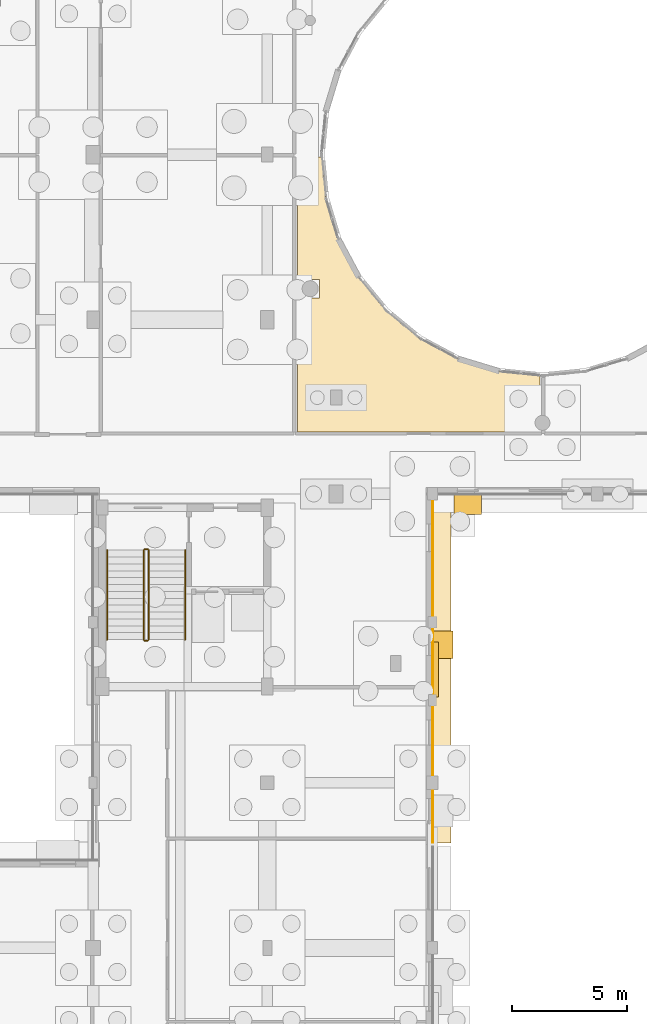
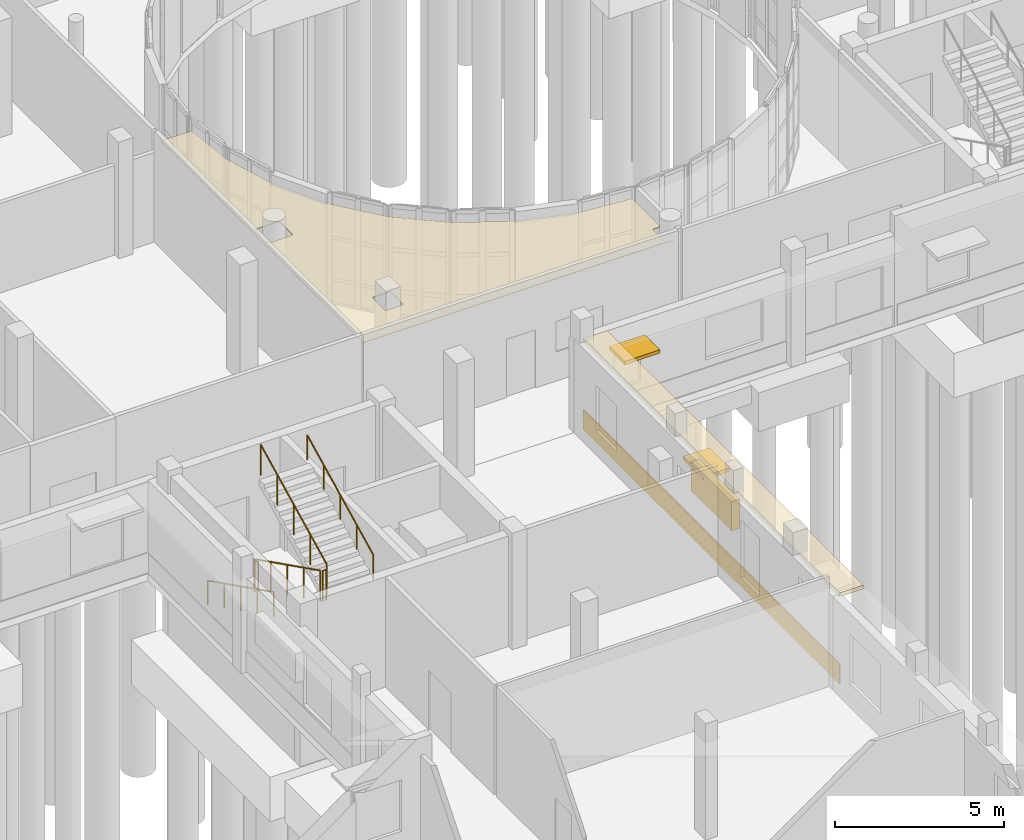
# One storey, part 83 of 93: 6 railings, 3 coverings, 3 shading devices.
"""IFC4 building model written with IfcOpenShell, lengths in metres."""

from ifc_helpers import new_model, si_unit, direction, frame, origin, origin_2d, place, context, subcontext, project, spatial, polyline, rectangle, circle, outline, extrude, material, layer, layer_set, type_object, element, save


model = new_model("IFC4")

# Units and contexts
model_context = context("Model", 3, precision=1e-05, world=origin(), true_north=direction((0.0, 1.0)))
body_context = subcontext(model_context, "Body", "Model", "MODEL_VIEW")
ifc_project = project(units=[si_unit("LENGTHUNIT", "METRE"), si_unit("AREAUNIT", "SQUARE_METRE"), si_unit("VOLUMEUNIT", "CUBIC_METRE"), si_unit("PLANEANGLEUNIT", "RADIAN"), si_unit("MASSUNIT", "GRAM", prefix="KILO")], contexts=[model_context])

# Site, building, storey
site_placement = place(None, origin())
site = spatial("IfcSite", under=ifc_project, at=site_placement, CompositionType="ELEMENT")
building_placement = place(site_placement, origin())
building = spatial("IfcBuilding", under=site, at=building_placement, Name="Kelanivale Promenade Academy", CompositionType="ELEMENT")
storey_placement = place(building_placement, origin())
storey = spatial("IfcBuildingStorey", under=building, at=storey_placement, Name="L00", CompositionType="ELEMENT", Elevation=0.0)

# Coverings
ifc_material_1 = material(Name="Warm ivory Art Deco stucco frieze band 40 mm", Category="masonry")
ifc_layer_1 = layer(ifc_material_1, 0.0400390625)
ifc_layer_set_1 = layer_set([ifc_layer_1], Name="Warm ivory Art Deco stucco frieze band 40 mm")
covering_type_1 = type_object("IfcCoveringType", Name="COV-CLD2 Warm ivory Art Deco stucco frieze ba", PredefinedType="CLADDING", material=ifc_layer_set_1)
covering_1_placement = place(storey_placement, frame((94.39990234375, 34.35009765625, 3.21484375), z_axis=(0.0, 0.0, 1.0), x_axis=(0.0, 1.0, 0.0)))
element("IfcCovering", 1, at=covering_1_placement, inside=storey, type_object=covering_type_1, Name="Art Deco projecting 820 mm streamline sunshade eyebrow ledge", PredefinedType="CLADDING", context=body_context, shape_type="SweptSolid", body=[
    extrude(rectangle(XDim=15.139892578125, YDim=0.820068359375, at=origin_2d()), origin(), (0.0, 0.0, 1.0), 0.139892578125),
])
covering_2_placement = place(storey_placement, frame((94.014892578125, 34.35009765625, 0.06005859375), z_axis=(0.0, 0.0, 1.0), x_axis=(0.0, 1.0, 0.0)))
element("IfcCovering", 2, at=covering_2_placement, inside=storey, type_object=covering_type_1, Name="Art Deco ivory stucco sill frieze band", PredefinedType="CLADDING", context=body_context, shape_type="SweptSolid", body=[
    extrude(rectangle(XDim=15.139892578125, YDim=0.0400390625, at=origin_2d()), origin(), (0.0, 0.0, 1.0), 0.719970703125),
])
ifc_material_2 = material(Name="Acoustic mineral-fibre ceiling tile 25 mm", Category="gypsum")
ifc_layer_2 = layer(ifc_material_2, 0.02490234375)
ifc_layer_set_2 = layer_set([ifc_layer_2], Name="Acoustic mineral-fibre ceiling tile 25 mm")
covering_type_2 = type_object("IfcCoveringType", Name="COV-CLG1 Acoustic mineral-fibre ceiling tile ", PredefinedType="CEILING", material=ifc_layer_set_2)
covering_3_placement = place(storey_placement, frame((0.0, 0.0, 3.550048828125)))
element("IfcCovering", 3, at=covering_3_placement, inside=storey, type_object=covering_type_2, Name="Junior Classroom Courtyard East-South acoustic suspended ceiling", PredefinedType="CEILING", context=body_context, shape_type="SweptSolid", body=[
    extrude(outline(polyline([(90.7880859375, 51.423095703125), (90.787109375, 51.425048828125), (90.780029296875, 51.43408203125), (90.77392578125, 51.44189453125), (90.76806640625, 51.451904296875), (90.76611328125, 51.455078125), (89.89306640625, 53.090087890625), (89.89208984375, 53.092041015625), (89.886962890625, 53.10205078125), (89.884033203125, 53.111083984375), (89.8798828125, 53.1220703125), (89.8779296875, 53.1259765625), (89.340087890625, 54.89892578125), (89.337890625, 54.907958984375), (89.3359375, 54.9189453125), (89.3359375, 54.919921875), (89.333984375, 54.931884765625), (89.3330078125, 54.93701171875), (89.160888671875, 56.68994140625), (88.110107421875, 56.68994140625), (88.110107421875, 44.7099609375), (98.68994140625, 44.7099609375), (98.68994140625, 44.715087890625), (98.455078125, 44.715087890625), (98.450927734375, 44.715087890625), (98.447021484375, 44.716064453125), (98.443115234375, 44.717041015625), (98.43994140625, 44.718017578125), (98.43603515625, 44.719970703125), (98.43310546875, 44.721923828125), (98.429931640625, 44.72412109375), (98.427001953125, 44.72705078125), (98.424072265625, 44.72998046875), (98.422119140625, 44.73291015625), (98.419921875, 44.736083984375), (98.41796875, 44.739990234375), (98.4169921875, 44.742919921875), (98.416015625, 44.7470703125), (98.4150390625, 44.7509765625), (98.4150390625, 44.7548828125), (98.4150390625, 45.445068359375), (98.4150390625, 45.448974609375), (98.416015625, 45.452880859375), (98.4169921875, 45.45703125), (98.41796875, 45.4599609375), (98.419921875, 45.464111328125), (98.422119140625, 45.467041015625), (98.424072265625, 45.469970703125), (98.427001953125, 45.472900390625), (98.429931640625, 45.47607421875), (98.43310546875, 45.47802734375), (98.43603515625, 45.47998046875), (98.43994140625, 45.48193359375), (98.443115234375, 45.48291015625), (98.447021484375, 45.48388671875), (98.450927734375, 45.485107421875), (98.455078125, 45.485107421875), (98.68994140625, 45.485107421875), (98.68994140625, 47.160888671875), (96.93701171875, 47.3330078125), (96.931884765625, 47.333984375), (96.919921875, 47.3359375), (96.9189453125, 47.3359375), (96.907958984375, 47.337890625), (96.89892578125, 47.340087890625), (95.1259765625, 47.8779296875), (95.1220703125, 47.8798828125), (95.111083984375, 47.884033203125), (95.10205078125, 47.886962890625), (95.092041015625, 47.89208984375), (95.090087890625, 47.89306640625), (93.455078125, 48.76611328125), (93.451904296875, 48.76806640625), (93.44189453125, 48.77392578125), (93.43408203125, 48.780029296875), (93.425048828125, 48.787109375), (93.423095703125, 48.7880859375), (91.989990234375, 49.962890625), (91.98388671875, 49.968017578125), (91.97607421875, 49.97607421875), (91.968017578125, 49.98388671875), (91.962890625, 49.989990234375), (90.7880859375, 51.423095703125)]), holes=[polyline([(90.110107421875, 45.85498046875), (90.110107421875, 45.85107421875), (90.10888671875, 45.846923828125), (90.10791015625, 45.843017578125), (90.10693359375, 45.840087890625), (90.10498046875, 45.8359375), (90.10302734375, 45.8330078125), (90.10107421875, 45.830078125), (90.097900390625, 45.826904296875), (90.094970703125, 45.823974609375), (90.092041015625, 45.822021484375), (90.089111328125, 45.820068359375), (90.0849609375, 45.818115234375), (90.08203125, 45.81689453125), (90.077880859375, 45.81591796875), (90.073974609375, 45.81494140625), (90.070068359375, 45.81494140625), (89.530029296875, 45.81494140625), (89.52587890625, 45.81494140625), (89.52197265625, 45.81591796875), (89.51806640625, 45.81689453125), (89.514892578125, 45.818115234375), (89.510986328125, 45.820068359375), (89.508056640625, 45.822021484375), (89.5048828125, 45.823974609375), (89.501953125, 45.826904296875), (89.4990234375, 45.830078125), (89.4970703125, 45.8330078125), (89.4951171875, 45.8359375), (89.492919921875, 45.840087890625), (89.491943359375, 45.843017578125), (89.490966796875, 45.846923828125), (89.489990234375, 45.85107421875), (89.489990234375, 45.85498046875), (89.489990234375, 46.544921875), (89.489990234375, 46.549072265625), (89.490966796875, 46.552978515625), (89.491943359375, 46.556884765625), (89.492919921875, 46.56005859375), (89.4951171875, 46.56396484375), (89.4970703125, 46.56689453125), (89.4990234375, 46.570068359375), (89.501953125, 46.572998046875), (89.5048828125, 46.575927734375), (89.508056640625, 46.577880859375), (89.510986328125, 46.580078125), (89.514892578125, 46.58203125), (89.51806640625, 46.5830078125), (89.52197265625, 46.583984375), (89.52587890625, 46.5849609375), (89.530029296875, 46.5849609375), (90.070068359375, 46.5849609375), (90.073974609375, 46.5849609375), (90.077880859375, 46.583984375), (90.08203125, 46.5830078125), (90.0849609375, 46.58203125), (90.089111328125, 46.580078125), (90.092041015625, 46.577880859375), (90.094970703125, 46.575927734375), (90.097900390625, 46.572998046875), (90.10107421875, 46.570068359375), (90.10302734375, 46.56689453125), (90.10498046875, 46.56396484375), (90.10693359375, 46.56005859375), (90.10791015625, 46.556884765625), (90.10888671875, 46.552978515625), (90.110107421875, 46.549072265625), (90.110107421875, 46.544921875), (90.110107421875, 45.85498046875)]), polyline([(89.077880859375, 50.580078125), (89.077880859375, 50.575927734375), (89.076904296875, 50.572021484375), (89.075927734375, 50.568115234375), (89.074951171875, 50.56494140625), (89.072998046875, 50.56103515625), (89.071044921875, 50.55810546875), (89.069091796875, 50.554931640625), (89.06591796875, 50.552001953125), (89.06298828125, 50.549072265625), (89.06005859375, 50.547119140625), (89.056884765625, 50.544921875), (89.052978515625, 50.54296875), (89.050048828125, 50.5419921875), (89.0458984375, 50.541015625), (89.0419921875, 50.5400390625), (89.0380859375, 50.5400390625), (88.298095703125, 50.5400390625), (88.2939453125, 50.5400390625), (88.2900390625, 50.541015625), (88.285888671875, 50.5419921875), (88.282958984375, 50.54296875), (88.279052734375, 50.544921875), (88.27587890625, 50.547119140625), (88.27294921875, 50.549072265625), (88.27001953125, 50.552001953125), (88.26708984375, 50.554931640625), (88.264892578125, 50.55810546875), (88.262939453125, 50.56103515625), (88.260986328125, 50.56494140625), (88.260009765625, 50.568115234375), (88.259033203125, 50.572021484375), (88.258056640625, 50.575927734375), (88.258056640625, 50.580078125), (88.258056640625, 51.320068359375), (88.258056640625, 51.323974609375), (88.259033203125, 51.327880859375), (88.260009765625, 51.33203125), (88.260986328125, 51.3349609375), (88.262939453125, 51.339111328125), (88.264892578125, 51.342041015625), (88.26708984375, 51.344970703125), (88.27001953125, 51.347900390625), (88.27294921875, 51.35107421875), (88.27587890625, 51.35302734375), (88.279052734375, 51.35498046875), (88.282958984375, 51.35693359375), (88.285888671875, 51.35791015625), (88.2900390625, 51.35888671875), (88.2939453125, 51.360107421875), (88.298095703125, 51.360107421875), (89.0380859375, 51.360107421875), (89.0419921875, 51.360107421875), (89.0458984375, 51.35888671875), (89.050048828125, 51.35791015625), (89.052978515625, 51.35693359375), (89.056884765625, 51.35498046875), (89.06005859375, 51.35302734375), (89.06298828125, 51.35107421875), (89.06591796875, 51.347900390625), (89.069091796875, 51.344970703125), (89.071044921875, 51.342041015625), (89.072998046875, 51.339111328125), (89.074951171875, 51.3349609375), (89.075927734375, 51.33203125), (89.076904296875, 51.327880859375), (89.077880859375, 51.323974609375), (89.077880859375, 51.320068359375), (89.077880859375, 50.580078125)])]), origin(), (0.0, 0.0, 1.0), 0.02490234375),
])

# Railings
ifc_material_3 = material(Name="Brushed stainless steel grade 316", Category="steel")
railing_type_1 = type_object("IfcRailingType", Name="GR-01 Stair Guard 1100mm", PredefinedType="BALUSTRADE", material=ifc_material_3)
railing_1_placement = place(storey_placement, frame((81.405029296875, 39.544921875, 0.14990234375)))
element("IfcRailing", 4, at=railing_1_placement, inside=storey, type_object=railing_type_1, Name="L00 ST-01 stair guard 1", PredefinedType="BALUSTRADE", context=body_context, shape_type="SweptSolid", body=[
    extrude(circle(Radius=0.02392578125, at=origin_2d()), frame((0.0, 0.0, 1.09619140625), z_axis=(0.0, -0.894404793364, 0.447258387967), x_axis=(1.0, 0.0, 0.0)), (0.0, 0.0, 1.0), 4.3603515625),
    extrude(circle(Radius=0.02099609375, at=origin_2d()), origin(), (0.0, 0.0, 1.0), 1.072021484375),
    extrude(circle(Radius=0.02099609375, at=origin_2d()), frame((0.0, -0.97509765625, 0.487548828125)), (0.0, 0.0, 1.0), 1.072021484375),
    extrude(circle(Radius=0.02099609375, at=origin_2d()), frame((0.0, -1.949951171875, 0.97509765625)), (0.0, 0.0, 1.0), 1.072021484375),
    extrude(circle(Radius=0.02099609375, at=origin_2d()), frame((0.0, -2.9248046875, 1.462646484375)), (0.0, 0.0, 1.0), 1.072021484375),
    extrude(circle(Radius=0.02099609375, at=origin_2d()), frame((0.0, -3.89990234375, 1.9501953125)), (0.0, 0.0, 1.0), 1.072021484375),
])
railing_2_placement = place(storey_placement, frame((81.455078125, 35.594970703125, 2.10009765625)))
element("IfcRailing", 5, at=railing_2_placement, inside=storey, type_object=railing_type_1, Name="L00 ST-01 stair guard 2", PredefinedType="BALUSTRADE", context=body_context, shape_type="SweptSolid", body=[
    extrude(circle(Radius=0.02392578125, at=origin_2d()), frame((0.0, 0.0, 1.09619140625), z_axis=(1.0, 0.0, 0.0), x_axis=(0.0, 1.0, 0.0)), (0.0, 0.0, 1.0), 0.119873046875),
    extrude(circle(Radius=0.02099609375, at=origin_2d()), origin(), (0.0, 0.0, 1.0), 1.072021484375),
    extrude(circle(Radius=0.02099609375, at=origin_2d()), frame((0.119873046875, 0.0, 0.0)), (0.0, 0.0, 1.0), 1.072021484375),
])
railing_3_placement = place(storey_placement, frame((81.625, 35.64501953125, 2.25)))
element("IfcRailing", 6, at=railing_3_placement, inside=storey, type_object=railing_type_1, Name="L00 ST-01 stair guard 3", PredefinedType="BALUSTRADE", context=body_context, shape_type="SweptSolid", body=[
    extrude(circle(Radius=0.02392578125, at=origin_2d()), frame((0.0, 0.0, 1.09619140625), z_axis=(0.0, 0.894427191, 0.4472135955), x_axis=(-1.0, 0.0, 0.0)), (0.0, 0.0, 1.0), 4.360107421875),
    extrude(circle(Radius=0.02099609375, at=origin_2d()), origin(), (0.0, 0.0, 1.0), 1.072021484375),
    extrude(circle(Radius=0.02099609375, at=origin_2d()), frame((0.0, 0.97509765625, 0.487548828125)), (0.0, 0.0, 1.0), 1.072021484375),
    extrude(circle(Radius=0.02099609375, at=origin_2d()), frame((0.0, 1.949951171875, 0.97509765625)), (0.0, 0.0, 1.0), 1.072021484375),
    extrude(circle(Radius=0.02099609375, at=origin_2d()), frame((0.0, 2.9248046875, 1.46240234375)), (0.0, 0.0, 1.0), 1.072021484375),
    extrude(circle(Radius=0.02099609375, at=origin_2d()), frame((0.0, 3.89990234375, 1.949951171875)), (0.0, 0.0, 1.0), 1.072021484375),
])
railing_4_placement = place(storey_placement, frame((81.455078125, 39.594970703125, 0.0)))
element("IfcRailing", 7, at=railing_4_placement, inside=storey, type_object=railing_type_1, Name="L00 ST-01 stair guard 4", PredefinedType="BALUSTRADE", context=body_context, shape_type="SweptSolid", body=[
    extrude(circle(Radius=0.02392578125, at=origin_2d()), frame((0.0, 0.0, 1.09619140625), z_axis=(1.0, 0.0, 0.0), x_axis=(0.0, 1.0, 0.0)), (0.0, 0.0, 1.0), 0.119873046875),
    extrude(circle(Radius=0.02099609375, at=origin_2d()), origin(), (0.0, 0.0, 1.0), 1.072021484375),
    extrude(circle(Radius=0.02099609375, at=origin_2d()), frame((0.119873046875, 0.0, 0.0)), (0.0, 0.0, 1.0), 1.072021484375),
])
railing_type_2 = type_object("IfcRailingType", Name="HR-01 Pitch Handrail 900mm", PredefinedType="HANDRAIL", material=ifc_material_3)
railing_5_placement = place(storey_placement, frame((79.81494140625, 39.544921875, 0.14990234375)))
element("IfcRailing", 8, at=railing_5_placement, inside=storey, type_object=railing_type_2, Name="L00 ST-01 stair handrail 1", PredefinedType="HANDRAIL", context=body_context, shape_type="SweptSolid", body=[
    extrude(circle(Radius=0.02392578125, at=origin_2d()), frame((0.0, 0.0, 0.8759765625), z_axis=(0.0, -0.894404793364, 0.447258387967), x_axis=(1.0, 0.0, 0.0)), (0.0, 0.0, 1.0), 4.3603515625),
    extrude(circle(Radius=0.02099609375, at=origin_2d()), origin(), (0.0, 0.0, 1.0), 0.851806640625),
    extrude(circle(Radius=0.02099609375, at=origin_2d()), frame((0.0, -0.97509765625, 0.487548828125)), (0.0, 0.0, 1.0), 0.851806640625),
    extrude(circle(Radius=0.02099609375, at=origin_2d()), frame((0.0, -1.949951171875, 0.97509765625)), (0.0, 0.0, 1.0), 0.851806640625),
    extrude(circle(Radius=0.02099609375, at=origin_2d()), frame((0.0, -2.9248046875, 1.462646484375)), (0.0, 0.0, 1.0), 0.851806640625),
    extrude(circle(Radius=0.02099609375, at=origin_2d()), frame((0.0, -3.89990234375, 1.9501953125)), (0.0, 0.0, 1.0), 0.851806640625),
])
railing_6_placement = place(storey_placement, frame((83.215087890625, 35.64501953125, 2.25)))
element("IfcRailing", 9, at=railing_6_placement, inside=storey, type_object=railing_type_2, Name="L00 ST-01 stair handrail 2", PredefinedType="HANDRAIL", context=body_context, shape_type="SweptSolid", body=[
    extrude(circle(Radius=0.02392578125, at=origin_2d()), frame((0.0, 0.0, 0.8759765625), z_axis=(0.0, 0.894427191, 0.4472135955), x_axis=(-1.0, 0.0, 0.0)), (0.0, 0.0, 1.0), 4.360107421875),
    extrude(circle(Radius=0.02099609375, at=origin_2d()), origin(), (0.0, 0.0, 1.0), 0.851806640625),
    extrude(circle(Radius=0.02099609375, at=origin_2d()), frame((0.0, 0.97509765625, 0.487548828125)), (0.0, 0.0, 1.0), 0.851806640625),
    extrude(circle(Radius=0.02099609375, at=origin_2d()), frame((0.0, 1.949951171875, 0.97509765625)), (0.0, 0.0, 1.0), 0.851806640625),
    extrude(circle(Radius=0.02099609375, at=origin_2d()), frame((0.0, 2.9248046875, 1.46240234375)), (0.0, 0.0, 1.0), 0.851806640625),
    extrude(circle(Radius=0.02099609375, at=origin_2d()), frame((0.0, 3.89990234375, 1.949951171875)), (0.0, 0.0, 1.0), 0.851806640625),
])

# Shading devices
ifc_material_4 = material(Name="Precast concrete C40/50", Category="concrete")
ifc_layer_3 = layer(ifc_material_4, 0.1201171875)
ifc_layer_set_3 = layer_set([ifc_layer_3], Name="Precast concrete C40/50")
shading_device_type_1 = type_object("IfcShadingDeviceType", Name="SHD-01 Art Deco Sunshade Eyebrow 900mm", PredefinedType="USERDEFINED", material=ifc_layer_set_3)
for number, where, z_axis, x_axis, name in (
    (10, (94.43994140625, 35.4130859375, 2.56005859375), (0.0, 0.0, 1.0), (0.0, 1.0, 0.0), "Art Deco 900 mm precast chajja window sunshade"),
    (11, (95.54296875, 41.56005859375, 2.56005859375), (0.0, 0.0, 1.0), (1.0, 0.0, 0.0), "Art Deco 900 mm precast chajja window sunshade"),
):
    element("IfcShadingDevice", number, at=place(storey_placement, frame(where, z_axis=z_axis, x_axis=x_axis)), inside=storey, type_object=shading_device_type_1, Name=name, ObjectType="SUNSHADE", PredefinedType="USERDEFINED", context=body_context, shape_type="SweptSolid", body=[
        extrude(rectangle(XDim=1.199951171875, YDim=0.89990234375, at=origin_2d()), origin(), (0.0, 0.0, 1.0), 0.1201171875),
    ])
ifc_material_5 = material(Name="Bronze anodised aluminium EN AW-6063 T6", Category="aluminium")
ifc_layer_4 = layer(ifc_material_5, 0.080078125)
ifc_layer_set_4 = layer_set([ifc_layer_4], Name="Bronze anodised aluminium EN AW-6063 T6")
shading_device_type_2 = type_object("IfcShadingDeviceType", Name="SHD-02 Perforated Brise-Soleil Screen", PredefinedType="JALOUSIE", material=ifc_layer_set_4)
shading_device_placement = place(storey_placement, frame((94.135009765625, 34.35009765625, 1.72509765625), z_axis=(0.0, 0.0, 1.0), x_axis=(0.0, 1.0, 0.0)))
element("IfcShadingDevice", 12, at=shading_device_placement, inside=storey, type_object=shading_device_type_2, Name="Perforated Art Deco brise-soleil louvre screen", PredefinedType="JALOUSIE", context=body_context, shape_type="SweptSolid", body=[
    extrude(rectangle(XDim=2.39990234375, YDim=0.280029296875, at=origin_2d()), origin(), (0.0, 0.0, 1.0), 1.050048828125),
])

save(model, "model.ifc")
